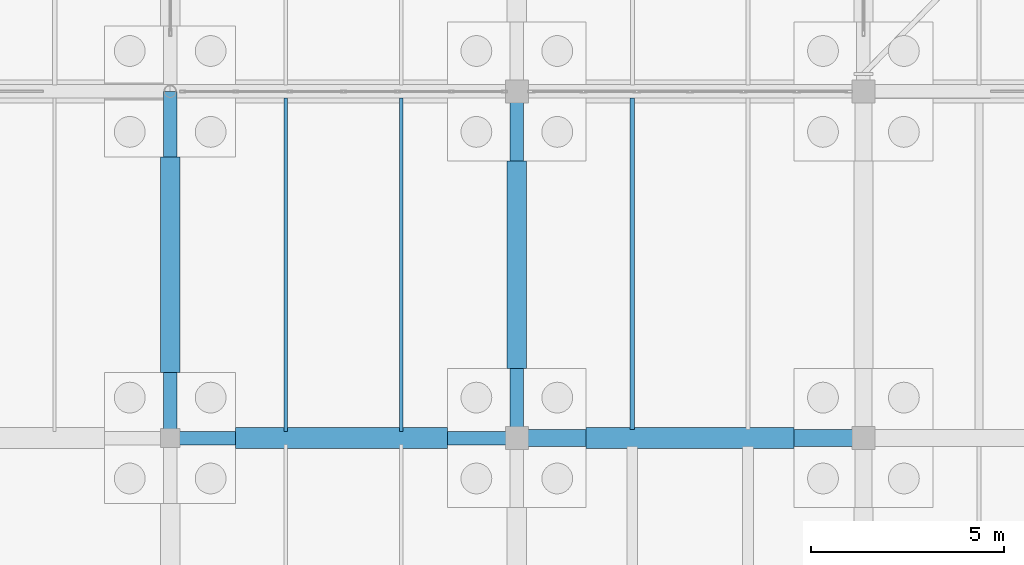
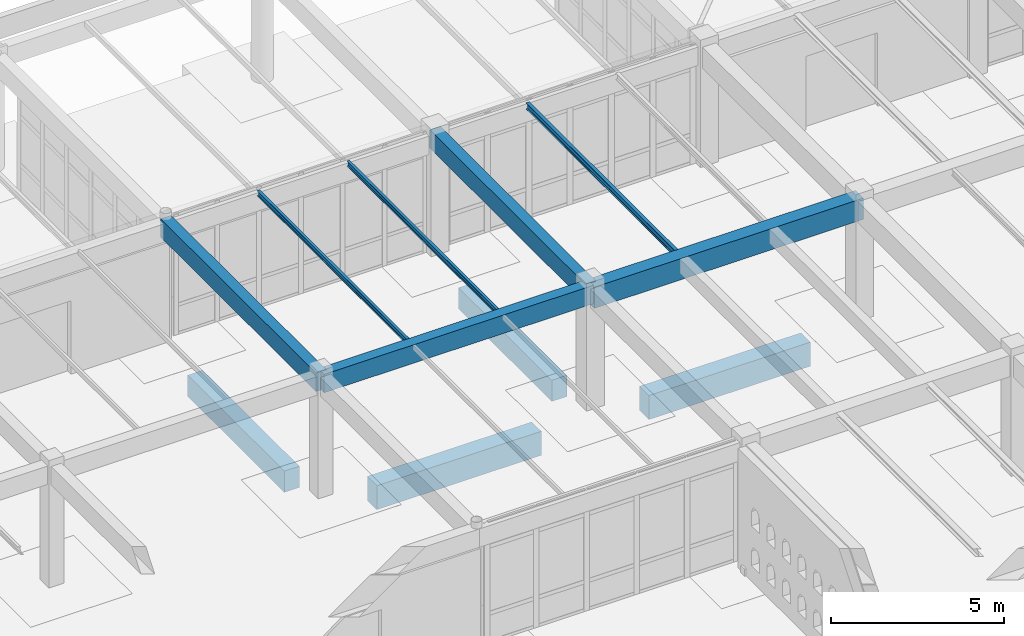
# One storey, part 131 of 186: 11 beams.
"""IFC4 building model written with IfcOpenShell, lengths in metres."""

from ifc_helpers import new_model, si_unit, direction, frame, origin, origin_2d, place, context, subcontext, project, spatial, rectangle, i_section, extrude, material, material_profile, profile_set, type_object, element, save


model = new_model("IFC4")

# Units and contexts
model_context = context("Model", 3, precision=1e-05, world=origin(), true_north=direction((0.0, 1.0)))
body_context = subcontext(model_context, "Body", "Model", "MODEL_VIEW")
ifc_project = project(units=[si_unit("LENGTHUNIT", "METRE"), si_unit("AREAUNIT", "SQUARE_METRE"), si_unit("VOLUMEUNIT", "CUBIC_METRE"), si_unit("PLANEANGLEUNIT", "RADIAN"), si_unit("MASSUNIT", "GRAM", prefix="KILO")], contexts=[model_context])

# Site, building, storey
site_placement = place(None, origin())
site = spatial("IfcSite", under=ifc_project, at=site_placement, CompositionType="ELEMENT")
building_placement = place(site_placement, origin())
building = spatial("IfcBuilding", under=site, at=building_placement, Name="Ornek Quay Market", CompositionType="ELEMENT")
storey_placement = place(building_placement, origin())
storey = spatial("IfcBuildingStorey", under=building, at=storey_placement, Name="L00", CompositionType="ELEMENT", Elevation=0.0)

# Beams
ifc_material_1 = material(Name="Concrete C35/45", Category="concrete")
ifc_material_profile_1 = material_profile(ifc_material_1, rectangle(XDim=0.35009765625, YDim=0.64990234375, at=origin_2d()), Name="RC 350x650", Category="concrete")
ifc_profile_set_1 = profile_set([ifc_material_profile_1], Name="Concrete C35/45")
beam_type_1 = type_object("IfcBeamType", Name="BM-CONC-350x650", PredefinedType="BEAM", material=ifc_profile_set_1)
for number, where, z_axis, x_axis, name in (
    (1, (144.0, 101.0, 3.945068359375), (1.0, 0.0, 0.0), (0.0, 1.0, 0.0), "Primary beam B-CN1-078"),
    (2, (144.0, 101.0, 3.945068359375), (0.0, 1.0, 0.0), (-1.0, 0.0, 0.0), "Primary beam B-CN1-084"),
    (3, (153.0, 101.0, 3.945068359375), (0.0, 1.0, 0.0), (-1.0, 0.0, 0.0), "Primary beam B-CN1-086"),
):
    element("IfcBeam", number, at=place(storey_placement, frame(where, z_axis=z_axis, x_axis=x_axis)), inside=storey, type_object=beam_type_1, Name=name, PredefinedType="BEAM", context=body_context, shape_type="SweptSolid", body=[
        extrude(rectangle(XDim=0.35009765625, YDim=0.64990234375, at=origin_2d()), origin(), (0.0, 0.0, 1.0), 9.0),
    ])
ifc_material_2 = material(Name="Concrete C40/50", Category="concrete")
ifc_material_profile_2 = material_profile(ifc_material_2, rectangle(XDim=0.449951171875, YDim=0.75, at=origin_2d()), Name="RC 450x750", Category="concrete")
ifc_profile_set_2 = profile_set([ifc_material_profile_2], Name="Concrete C40/50")
beam_type_2 = type_object("IfcBeamType", Name="BM-FC-450x750", PredefinedType="BEAM", material=ifc_profile_set_2)
beam_1_placement = place(storey_placement, frame((153.0, 101.0, 3.85498046875), z_axis=(1.0, 0.0, 0.0), x_axis=(0.0, 1.0, 0.0)))
element("IfcBeam", 4, at=beam_1_placement, inside=storey, type_object=beam_type_2, Name="Primary beam B-FC1-024", PredefinedType="BEAM", context=body_context, shape_type="SweptSolid", body=[
    extrude(rectangle(XDim=0.449951171875, YDim=0.75, at=origin_2d()), origin(), (0.0, 0.0, 1.0), 9.0),
])
ifc_material_profile_3 = material_profile(ifc_material_1, rectangle(XDim=0.5, YDim=0.75, at=origin_2d()), Name="RC 500x750", Category="concrete")
ifc_profile_set_3 = profile_set([ifc_material_profile_3], Name="Concrete C35/45")
beam_type_3 = type_object("IfcBeamType", Name="BM-GB-500x750", PredefinedType="BEAM", material=ifc_profile_set_3)
beam_2_placement = place(storey_placement, frame((144.0, 102.699951171875, -0.574951171875), z_axis=(0.0, 1.0, 0.0), x_axis=(-1.0, 0.0, 0.0)))
element("IfcBeam", 5, at=beam_2_placement, inside=storey, type_object=beam_type_3, Name="Ground tie beam GB-386", PredefinedType="BEAM", context=body_context, shape_type="SweptSolid", body=[
    extrude(rectangle(XDim=0.5, YDim=0.75, at=origin_2d()), origin(), (0.0, 0.0, 1.0), 5.60009765625),
])
beam_3_placement = place(storey_placement, frame((153.0, 102.800048828125, -0.574951171875), z_axis=(0.0, 1.0, 0.0), x_axis=(-1.0, 0.0, 0.0)))
element("IfcBeam", 6, at=beam_3_placement, inside=storey, type_object=beam_type_3, Name="Ground tie beam GB-398", PredefinedType="BEAM", context=body_context, shape_type="SweptSolid", body=[
    extrude(rectangle(XDim=0.5, YDim=0.75, at=origin_2d()), origin(), (0.0, 0.0, 1.0), 5.39990234375),
])
ifc_material_profile_4 = material_profile(ifc_material_1, rectangle(XDim=0.550048828125, YDim=0.85009765625, at=origin_2d()), Name="RC 550x850", Category="concrete")
ifc_profile_set_4 = profile_set([ifc_material_profile_4], Name="Concrete C35/45")
beam_type_4 = type_object("IfcBeamType", Name="BM-GB-550x850", PredefinedType="BEAM", material=ifc_profile_set_4)
beam_4_placement = place(storey_placement, frame((145.699951171875, 101.0, -0.625), z_axis=(1.0, 0.0, 0.0), x_axis=(0.0, 1.0, 0.0)))
element("IfcBeam", 7, at=beam_4_placement, inside=storey, type_object=beam_type_4, Name="Ground tie beam GB-348", PredefinedType="BEAM", context=body_context, shape_type="SweptSolid", body=[
    extrude(rectangle(XDim=0.550048828125, YDim=0.85009765625, at=origin_2d()), origin(), (0.0, 0.0, 1.0), 5.5),
])
beam_5_placement = place(storey_placement, frame((154.800048828125, 101.0, -0.625), z_axis=(1.0, 0.0, 0.0), x_axis=(0.0, 1.0, 0.0)))
element("IfcBeam", 8, at=beam_5_placement, inside=storey, type_object=beam_type_4, Name="Ground tie beam GB-349", PredefinedType="BEAM", context=body_context, shape_type="SweptSolid", body=[
    extrude(rectangle(XDim=0.550048828125, YDim=0.85009765625, at=origin_2d()), origin(), (0.0, 0.0, 1.0), 5.39990234375),
])
ifc_material_3 = material(Name="Steel S355", Category="steel")
ifc_material_profile_5 = material_profile(ifc_material_3, i_section(OverallWidth=0.091064453125, OverallDepth=0.179931640625, WebThickness=0.00537109375, FlangeThickness=0.008056640625, FilletRadius=0.009033203125, at=origin_2d()), Name="IPE 180", Category="steel")
ifc_profile_set_5 = profile_set([ifc_material_profile_5], Name="Steel S355")
beam_type_5 = type_object("IfcBeamType", Name="BM-STL-IPE180", PredefinedType="JOIST", material=ifc_profile_set_5)
for number, where, z_axis, x_axis, name in (
    (9, (147.0, 101.1669921875, 4.179931640625), (0.0, 1.0, 0.0), (-1.0, 0.0, 0.0), "Secondary joist SB-01-011"),
    (10, (150.0, 101.1669921875, 4.179931640625), (0.0, 1.0, 0.0), (-1.0, 0.0, 0.0), "Secondary joist SB-01-012"),
):
    element("IfcBeam", number, at=place(storey_placement, frame(where, z_axis=z_axis, x_axis=x_axis)), inside=storey, type_object=beam_type_5, Name=name, PredefinedType="JOIST", context=body_context, shape_type="SweptSolid", body=[
        extrude(i_section(OverallWidth=0.091064453125, OverallDepth=0.179931640625, WebThickness=0.00537109375, FlangeThickness=0.008056640625, FilletRadius=0.009033203125, at=origin_2d()), origin(), (0.0, 0.0, 1.0), 8.666015625),
    ])
ifc_material_profile_6 = material_profile(ifc_material_3, i_section(OverallWidth=0.110107421875, OverallDepth=0.219970703125, WebThickness=0.005859375, FlangeThickness=0.00927734375, FilletRadius=0.011962890625, at=origin_2d()), Name="IPE 220", Category="steel")
ifc_profile_set_6 = profile_set([ifc_material_profile_6], Name="Steel S355")
beam_type_6 = type_object("IfcBeamType", Name="BM-STL-IPE220", PredefinedType="JOIST", material=ifc_profile_set_6)
beam_6_placement = place(storey_placement, frame((156.0, 101.217041015625, 4.1201171875), z_axis=(0.0, 1.0, 0.0), x_axis=(-1.0, 0.0, 0.0)))
element("IfcBeam", 11, at=beam_6_placement, inside=storey, type_object=beam_type_6, Name="Secondary joist SB-03-022", PredefinedType="JOIST", context=body_context, shape_type="SweptSolid", body=[
    extrude(i_section(OverallWidth=0.110107421875, OverallDepth=0.219970703125, WebThickness=0.005859375, FlangeThickness=0.00927734375, FilletRadius=0.011962890625, at=origin_2d()), origin(), (0.0, 0.0, 1.0), 8.615966796875),
])

save(model, "model.ifc")
